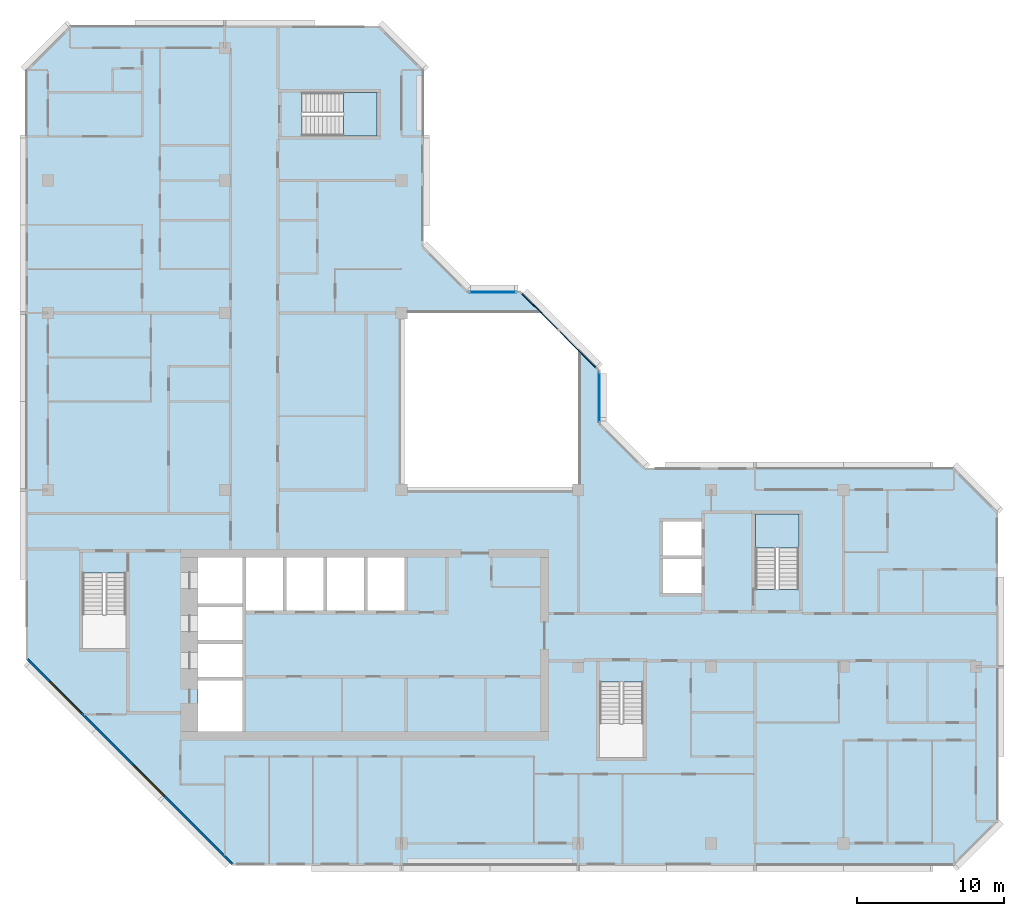
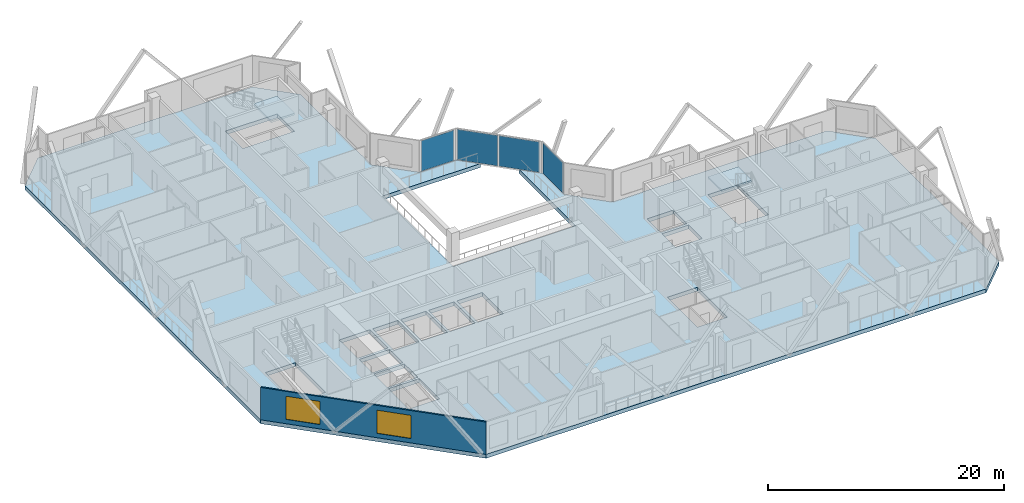
# One storey, part 3 of 13: 4 plates, 3 slabs, 2 windows, 1 wall, 2 openings, 5 elements without a shape of their own.
"""IFC4 building model written with IfcOpenShell, lengths in metres."""

import ifcopenshell
import ifcopenshell.guid

model = None  # the IFC model being written
_history = None  # IfcOwnerHistory: only IFC2X3 demands one
_inside = {}  # id of a spatial element -> (the spatial element, [elements in it])
_under = {}  # id of a project, library or spatial element -> (it, [spatial elements below it])
_declared = {}  # id of a project -> (the project, [libraries it declares])
_typed = {}  # id of a type object -> (the type object, [elements of that type])
_made_of = {}  # id of a material, layer set ... -> (it, [elements and type objects made of it])


def new_model(schema):
    """Start an empty IFC model of exactly this schema.

    Asked for "IFC4X3", IfcOpenShell would pick the latest addendum, in which some entities
    have other attributes; the version numbers below select the first issue.
    IFC2X3 requires an IfcOwnerHistory on every rooted entity: one is made here for all.
    """
    global model, _history
    if schema == "IFC4X3":
        model = ifcopenshell.file(schema_version=(4, 3, 0, 0))
    else:
        model = ifcopenshell.file(schema=schema)
    _inside.clear()
    _under.clear()
    _declared.clear()
    _typed.clear()
    _made_of.clear()
    _history = None
    if model.schema == "IFC2X3":
        org = make("IfcOrganization", Name="unknown")
        user = make(
            "IfcPersonAndOrganization",
            ThePerson=make("IfcPerson", FamilyName="unknown"),
            TheOrganization=org,
        )
        app = make(
            "IfcApplication",
            ApplicationDeveloper=org,
            Version="unknown",
            ApplicationFullName="unknown",
            ApplicationIdentifier="unknown",
        )
        _history = make(
            "IfcOwnerHistory",
            OwningUser=user,
            OwningApplication=app,
            ChangeAction="ADDED",
            CreationDate=0,
        )
    return model


def make(cls, **values):
    """One entity of the class cls with the attributes given. An attribute that is None is left unset."""
    return model.create_entity(
        cls, **{name: value for name, value in values.items() if value is not None}
    )


def rooted(cls, **values):
    """An entity with a GlobalId (a new one), such as an element, a storey or a relation."""
    return make(cls, GlobalId=ifcopenshell.guid.new(), OwnerHistory=_history, **values)


def si_unit(unit_type, name, prefix=None):
    """IfcSIUnit, for example si_unit("LENGTHUNIT", "METRE", prefix="MILLI")."""
    return make("IfcSIUnit", UnitType=unit_type, Prefix=prefix, Name=name)


def assignment(units):
    """IfcUnitAssignment: the units of a project."""
    return None if units is None else make("IfcUnitAssignment", Units=units)


def point(xyz):
    """IfcCartesianPoint."""
    return None if xyz is None else make("IfcCartesianPoint", Coordinates=xyz)


def direction(xyz):
    """IfcDirection."""
    return None if xyz is None else make("IfcDirection", DirectionRatios=xyz)


def frame(location, z_axis=None, x_axis=None):
    """IfcAxis2Placement3D, a coordinate frame: its origin and axes. An axis left out is left unset."""
    return make(
        "IfcAxis2Placement3D",
        Location=point(location),
        Axis=direction(z_axis),
        RefDirection=direction(x_axis),
    )


def frame_2d(location, x_axis=None):
    """IfcAxis2Placement2D, a coordinate frame in the plane: its origin and x axis."""
    return make(
        "IfcAxis2Placement2D", Location=point(location), RefDirection=direction(x_axis)
    )


def origin():
    """The frame at (0, 0, 0) with its axes left unset."""
    return frame((0.0, 0.0, 0.0))


def origin_2d():
    """The frame at (0, 0) in the plane with its x axis left unset."""
    return frame_2d((0.0, 0.0))


def place(relative_to, where):
    """IfcLocalPlacement: puts the frame where relative to a parent placement (None: the world)."""
    return make(
        "IfcLocalPlacement", PlacementRelTo=relative_to, RelativePlacement=where
    )


def context(
    kind, dimensions, precision=None, world=None, true_north=None, identifier=None
):
    """IfcGeometricRepresentationContext, for example the 3D "Model" context."""
    return make(
        "IfcGeometricRepresentationContext",
        ContextIdentifier=identifier,
        ContextType=kind,
        CoordinateSpaceDimension=dimensions,
        Precision=precision,
        WorldCoordinateSystem=world,
        TrueNorth=true_north,
    )


def subcontext(parent, identifier, kind, view, scale=None):
    """IfcGeometricRepresentationSubContext, for example "Body" below "Model"."""
    return make(
        "IfcGeometricRepresentationSubContext",
        ContextIdentifier=identifier,
        ContextType=kind,
        ParentContext=parent,
        TargetScale=scale,
        TargetView=view,
    )


def project(units=None, contexts=None):
    """IfcProject with its units and contexts."""
    return rooted(
        "IfcProject",
        Name="project",
        RepresentationContexts=contexts,
        UnitsInContext=assignment(units),
    )


def spatial(cls, under=None, at=None, **own):
    """A site, building, storey or space (cls), placed at a placement, below another one or the project."""
    s = rooted(cls, ObjectPlacement=at, **own)
    if under is not None:
        _under.setdefault(under.id(), (under, []))[1].append(s)
    return s


def polyline(points):
    """IfcPolyline through the points."""
    return make("IfcPolyline", Points=[point(p) for p in points])


def profile(cls, at=None, kind="AREA", **sizes):
    """A parametric profile (cls). Its sizes go by their IFC names, for example OverallWidth=200.0."""
    return make(cls, ProfileType=kind, Position=at, **sizes)


def rectangle(**sizes):
    """IfcRectangleProfileDef."""
    return profile("IfcRectangleProfileDef", **sizes)


def outline(outer, holes=None, kind="AREA"):
    """IfcArbitraryClosedProfileDef: a profile drawn as a closed curve; with holes, ...WithVoids."""
    if holes is None:
        return make("IfcArbitraryClosedProfileDef", ProfileType=kind, OuterCurve=outer)
    return make(
        "IfcArbitraryProfileDefWithVoids",
        ProfileType=kind,
        OuterCurve=outer,
        InnerCurves=holes,
    )


def extrude(swept, where, along, depth):
    """IfcExtrudedAreaSolid: the profile swept, set in the frame where, extruded along a direction by depth."""
    return make(
        "IfcExtrudedAreaSolid",
        SweptArea=swept,
        Position=where,
        ExtrudedDirection=direction(along),
        Depth=depth,
    )


def shape(context_of_items, identifier, shape_type, items):
    """IfcShapeRepresentation: the items that make up one representation, for example the "Body"."""
    return make(
        "IfcShapeRepresentation",
        ContextOfItems=context_of_items,
        RepresentationIdentifier=identifier,
        RepresentationType=shape_type,
        Items=items,
    )


def material(Name=None, Category=None):
    """IfcMaterial."""
    return make("IfcMaterial", Name=Name, Category=Category)


def layer(
    of_material, thickness, ventilated=None, Name=None, Category=None, Priority=None
):
    """IfcMaterialLayer: one layer of a wall or slab, of a material (None: an air gap)."""
    return make(
        "IfcMaterialLayer",
        Material=of_material,
        LayerThickness=thickness,
        IsVentilated=ventilated,
        Name=Name,
        Category=Category,
        Priority=Priority,
    )


def layer_set(layers, Name=None):
    """IfcMaterialLayerSet."""
    return make("IfcMaterialLayerSet", MaterialLayers=layers, LayerSetName=Name)


def made_of(thing, what):
    """Note that an element or type object is made of a material, layer set ...; save() writes the relation."""
    if what is not None:
        _made_of.setdefault(what.id(), (what, []))[1].append(thing)
    return thing


def type_object(cls, material=None, **own):
    """A type object (cls), such as IfcWallType, which elements share."""
    return made_of(rooted(cls, **own), material)


def element(
    cls,
    number,
    at=None,
    inside=None,
    cuts=None,
    type_object=None,
    material=None,
    context=None,
    identifier="Body",
    shape_type=None,
    held_by="IfcProductDefinitionShape",
    body=None,
    shapes=None,
    **own,
):
    """One element of the class cls, such as IfcWall. Its Tag is "e" and its number.

    at: its placement. inside: the storey or other place that contains it. cuts: it is an
    opening in that element (IfcRelVoidsElement). A single representation is given by context,
    identifier, shape_type and body (its items); several are given by shapes. held_by: the class
    of the entity that holds the representations. save() writes the other relations.
    """
    e = rooted(cls, Tag="e%d" % number, ObjectPlacement=at, **own)
    if body is not None:
        shapes = [shape(context, identifier, shape_type, body)]
    if shapes is not None:
        e.Representation = make(held_by, Representations=shapes)
    if inside is not None:
        _inside.setdefault(inside.id(), (inside, []))[1].append(e)
    if cuts is not None:
        rooted(
            "IfcRelVoidsElement", RelatingBuildingElement=cuts, RelatedOpeningElement=e
        )
    if type_object is not None:
        _typed.setdefault(type_object.id(), (type_object, []))[1].append(e)
    return made_of(e, material)


def fill(opening, filler):
    """IfcRelFillsElement: the door or window that sits in an opening."""
    return rooted(
        "IfcRelFillsElement",
        RelatingOpeningElement=opening,
        RelatedBuildingElement=filler,
    )


def aggregate(whole, parts):
    """IfcRelAggregates: a whole, such as a stair, and the parts it consists of."""
    return rooted("IfcRelAggregates", RelatingObject=whole, RelatedObjects=parts)


def save(model, path):
    """Write the relations noted so far, then the file.

    IfcRelAggregates (storeys below a building ...), IfcRelContainedInSpatialStructure (elements
    in a storey), IfcRelDefinesByType, IfcRelAssociatesMaterial and IfcRelDeclares: one each for
    every whole, place, type object, material and project.
    """
    for whole, parts in _under.values():
        aggregate(whole, parts)
    for where, things in _inside.values():
        rooted(
            "IfcRelContainedInSpatialStructure",
            RelatedElements=things,
            RelatingStructure=where,
        )
    for kind, things in _typed.values():
        rooted("IfcRelDefinesByType", RelatedObjects=things, RelatingType=kind)
    for what, things in _made_of.values():
        rooted("IfcRelAssociatesMaterial", RelatedObjects=things, RelatingMaterial=what)
    for by, libraries in _declared.values():
        rooted("IfcRelDeclares", RelatingContext=by, RelatedDefinitions=libraries)
    model.write(path)


model = new_model("IFC4")

# Units and contexts
model_context = context("Model", 3, precision=1e-05, world=origin(), true_north=direction((0.0, 1.0)))
body_context = subcontext(model_context, "Body", "Model", "MODEL_VIEW")
ifc_project = project(units=[si_unit("LENGTHUNIT", "METRE"), si_unit("AREAUNIT", "SQUARE_METRE"), si_unit("VOLUMEUNIT", "CUBIC_METRE"), si_unit("PLANEANGLEUNIT", "RADIAN"), si_unit("MASSUNIT", "GRAM", prefix="KILO")], contexts=[model_context])

# Site, building, storey
site_placement = place(None, origin())
site = spatial("IfcSite", under=ifc_project, at=site_placement, CompositionType="ELEMENT")
building_placement = place(site_placement, origin())
building = spatial("IfcBuilding", under=site, at=building_placement, Name="Chenar Terraces", CompositionType="ELEMENT")
storey_placement = place(building_placement, frame((0.0, 0.0, 273.39990234375)))
storey = spatial("IfcBuildingStorey", under=building, at=storey_placement, Name="L63", CompositionType="ELEMENT", Elevation=273.39990234375)

# Curtain wall, plate
ifc_material_1 = material(Name="Aluminium framed glazing", Category="aluminium")
ifc_layer_1 = layer(ifc_material_1, 0.14990234375)
ifc_layer_set_1 = layer_set([ifc_layer_1], Name="Aluminium framed glazing")
curtain_wall_type = type_object("IfcCurtainWallType", Name="Atrium upper-zone curtain wall", PredefinedType="NOTDEFINED", material=ifc_layer_set_1)
placement_1 = place(storey_placement, origin())
curtain_wall_1 = element("IfcCurtainWall", 1, at=placement_1, inside=storey, type_object=curtain_wall_type, Name="Atrium upper-zone curtain wall", PredefinedType="NOTDEFINED")
ifc_material_2 = material(Name="Low emissivity laminated glass, solar control coating", Category="glass")
ifc_layer_2 = layer(ifc_material_2, 0.050048828125)
ifc_layer_set_2 = layer_set([ifc_layer_2], Name="Low emissivity laminated glass, solar control coating")
plate_type = type_object("IfcPlateType", Name="Atrium upper-zone glazing panel 50", PredefinedType="CURTAIN_PANEL", material=ifc_layer_set_2)
plate_1_placement = place(storey_placement, frame((37.425048828125, 30.300048828125, 0.10009765625), z_axis=(0.0, 0.0, 1.0), x_axis=(0.0, 1.0, 0.0)))
plate_1 = element("IfcPlate", 2, at=plate_1_placement, type_object=plate_type, Name="CW8-1 panel 1.1", PredefinedType="CURTAIN_PANEL", context=body_context, shape_type="SweptSolid", body=[
    extrude(rectangle(XDim=3.39990234375, YDim=0.050048828125, at=origin_2d()), origin(), (0.0, 0.0, 1.0), 3.14990234375),
])
aggregate(curtain_wall_1, [plate_1])

# Curtain wall, plates
curtain_wall_2 = element("IfcCurtainWall", 3, at=placement_1, inside=storey, type_object=curtain_wall_type, Name="Atrium upper-zone curtain wall", PredefinedType="NOTDEFINED")
plate_2_placement = place(storey_placement, frame((35.97314453125, 33.520751953125, 0.10009765625), z_axis=(0.0, 0.0, 1.0), x_axis=(-0.707106781187, 0.707106781187, 0.0)))
plate_2 = element("IfcPlate", 4, at=plate_2_placement, type_object=plate_type, Name="CW8-2 panel 1.1", PredefinedType="CURTAIN_PANEL", context=body_context, shape_type="SweptSolid", body=[
    extrude(rectangle(XDim=3.568359375, YDim=0.050048828125, at=origin_2d()), origin(), (0.0, 0.0, 1.0), 3.14990234375),
])
plate_3_placement = place(storey_placement, frame((33.379150390625, 36.11474609375, 0.10009765625), z_axis=(0.0, 0.0, 1.0), x_axis=(-0.707106781187, 0.707106781187, 0.0)))
plate_3 = element("IfcPlate", 5, at=plate_3_placement, type_object=plate_type, Name="CW8-2 panel 2.1", PredefinedType="CURTAIN_PANEL", context=body_context, shape_type="SweptSolid", body=[
    extrude(rectangle(XDim=3.568359375, YDim=0.050048828125, at=origin_2d()), origin(), (0.0, 0.0, 1.0), 3.14990234375),
])
aggregate(curtain_wall_2, [plate_2, plate_3])

# Curtain wall, plate
curtain_wall_3 = element("IfcCurtainWall", 6, at=placement_1, inside=storey, type_object=curtain_wall_type, Name="Atrium upper-zone curtain wall", PredefinedType="NOTDEFINED")
plate_4_placement = place(storey_placement, frame((30.199951171875, 37.425048828125, 0.10009765625), z_axis=(0.0, 0.0, 1.0), x_axis=(-1.0, 0.0, 0.0)))
plate_4 = element("IfcPlate", 7, at=plate_4_placement, type_object=plate_type, Name="CW8-3 panel 1.1", PredefinedType="CURTAIN_PANEL", context=body_context, shape_type="SweptSolid", body=[
    extrude(rectangle(XDim=3.199951171875, YDim=0.050048828125, at=origin_2d()), origin(), (0.0, 0.0, 1.0), 3.14990234375),
])
aggregate(curtain_wall_3, [plate_4])

# Stair, slab
ifc_material_3 = material(Name="Reinforced concrete C40/50", Category="concrete")
stair_type = type_object("IfcStairType", Name="Core stair 1400 half-turn", PredefinedType="HALF_TURN_STAIR", material=ifc_material_3)
stair_1 = element("IfcStair", 8, at=placement_1, inside=storey, type_object=stair_type, Name="L63 Stair 3", PredefinedType="HALF_TURN_STAIR")
ifc_material_4 = material(Name="Reinforced concrete C40/50", Category="concrete")
ifc_layer_3 = layer(ifc_material_4, 0.199951171875)
ifc_layer_set_3 = layer_set([ifc_layer_3], Name="Reinforced concrete C40/50")
slab_type_1 = type_object("IfcSlabType", Name="Core stair landing 200", PredefinedType="LANDING", material=ifc_layer_set_3)
placement_2 = place(storey_placement, frame((0.0, 0.0, 1.675048828125)))
slab_1 = element("IfcSlab", 9, at=placement_2, type_object=slab_type_1, Name="ST3 landing 1", PredefinedType="LANDING", context=body_context, shape_type="SweptSolid", body=[
    extrude(outline(polyline([(50.97509765625, 20.050048828125), (50.97509765625, 22.35009765625), (48.02490234375, 22.35009765625), (48.02490234375, 20.050048828125), (50.97509765625, 20.050048828125)])), origin(), (0.0, 0.0, 1.0), 0.199951171875),
])
aggregate(stair_1, [slab_1])

stair_2 = element("IfcStair", 10, at=placement_1, inside=storey, type_object=stair_type, Name="L63 Stair 4", PredefinedType="HALF_TURN_STAIR")
slab_2 = element("IfcSlab", 11, at=placement_2, type_object=slab_type_1, Name="ST4 landing 1", PredefinedType="LANDING", context=body_context, shape_type="SweptSolid", body=[
    extrude(outline(polyline([(20.050048828125, 48.02490234375), (22.35009765625, 48.02490234375), (22.35009765625, 50.97509765625), (20.050048828125, 50.97509765625), (20.050048828125, 48.02490234375)])), origin(), (0.0, 0.0, 1.0), 0.199951171875),
])
aggregate(stair_2, [slab_2])

# Slab
ifc_material_5 = material(Name="Concrete C40/50", Category="concrete")
ifc_layer_4 = layer(ifc_material_5, 0.39990234375)
ifc_layer_set_4 = layer_set([ifc_layer_4], Name="Concrete C40/50")
slab_type_2 = type_object("IfcSlabType", Name="Floor slab 400 Concrete C40/50", PredefinedType="FLOOR", material=ifc_layer_set_4)
slab_3_placement = place(storey_placement, frame((0.0, 0.0, -0.39990234375)))
element("IfcSlab", 12, at=slab_3_placement, inside=storey, type_object=slab_type_2, Name="Floor slab L63", PredefinedType="FLOOR", context=body_context, shape_type="SweptSolid", body=[
    extrude(outline(polyline([(64.5, 22.5), (64.5, 1.5), (61.5, -1.5), (12.5, -1.5), (-1.5, 12.5), (-1.5, 52.5), (1.5, 55.5), (22.5, 55.5), (25.5, 52.5), (25.5, 40.5), (28.5, 37.5), (32.10009765625, 37.5), (33.60009765625, 36.0), (24.0, 36.0), (24.0, 24.0), (36.0, 24.0), (36.0, 33.60009765625), (37.5, 32.10009765625), (37.5, 28.5), (40.5, 25.5), (61.5, 25.5), (64.5, 22.5)]), holes=[polyline([(10.199951171875, 11.050048828125), (10.199951171875, 7.60009765625), (13.199951171875, 7.60009765625), (13.199951171875, 11.050048828125), (10.199951171875, 11.050048828125)]), polyline([(13.199951171875, 13.550048828125), (10.199951171875, 13.550048828125), (10.199951171875, 11.300048828125), (13.199951171875, 11.300048828125), (13.199951171875, 13.550048828125)]), polyline([(13.199951171875, 16.050048828125), (10.199951171875, 16.050048828125), (10.199951171875, 13.800048828125), (13.199951171875, 13.800048828125), (13.199951171875, 16.050048828125)]), polyline([(2.35009765625, 13.25), (5.300048828125, 13.25), (5.300048828125, 18.35009765625), (2.35009765625, 18.35009765625), (2.35009765625, 13.25)]), polyline([(15.949951171875, 19.39990234375), (13.449951171875, 19.39990234375), (13.449951171875, 15.800048828125), (15.949951171875, 15.800048828125), (15.949951171875, 19.39990234375)]), polyline([(18.699951171875, 19.39990234375), (16.199951171875, 19.39990234375), (16.199951171875, 15.800048828125), (18.699951171875, 15.800048828125), (18.699951171875, 19.39990234375)]), polyline([(13.199951171875, 19.39990234375), (10.199951171875, 19.39990234375), (10.199951171875, 16.300048828125), (13.199951171875, 16.300048828125), (13.199951171875, 19.39990234375)]), polyline([(22.35009765625, 48.02490234375), (22.35009765625, 50.97509765625), (17.25, 50.97509765625), (17.25, 48.02490234375), (22.35009765625, 48.02490234375)]), polyline([(37.449951171875, 5.85009765625), (40.39990234375, 5.85009765625), (40.39990234375, 10.949951171875), (37.449951171875, 10.949951171875), (37.449951171875, 5.85009765625)]), polyline([(21.449951171875, 19.39990234375), (18.949951171875, 19.39990234375), (18.949951171875, 15.800048828125), (21.449951171875, 15.800048828125), (21.449951171875, 19.39990234375)]), polyline([(24.199951171875, 19.39990234375), (21.699951171875, 19.39990234375), (21.699951171875, 15.800048828125), (24.199951171875, 15.800048828125), (24.199951171875, 19.39990234375)]), polyline([(44.35009765625, 19.300048828125), (41.75, 19.300048828125), (41.75, 17.0), (44.35009765625, 17.0), (44.35009765625, 19.300048828125)]), polyline([(50.97509765625, 22.35009765625), (48.02490234375, 22.35009765625), (48.02490234375, 17.25), (50.97509765625, 17.25), (50.97509765625, 22.35009765625)]), polyline([(44.35009765625, 21.85009765625), (41.75, 21.85009765625), (41.75, 19.550048828125), (44.35009765625, 19.550048828125), (44.35009765625, 21.85009765625)])]), origin(), (0.0, 0.0, 1.0), 0.39990234375),
])

# Wall, openings, windows
ifc_material_6 = material(Name="Terracotta cladding on insulated backing", Category="masonry")
ifc_layer_5 = layer(ifc_material_6, 0.14990234375)
ifc_layer_set_5 = layer_set([ifc_layer_5], Name="Terracotta cladding on insulated backing")
wall_type = type_object("IfcWallType", Name="Terracotta rainscreen wall 150", PredefinedType="SOLIDWALL", material=ifc_layer_set_5)
wall_placement = place(storey_placement, frame((-1.447021484375, 12.552978515625, 0.0), z_axis=(0.0, 0.0, 1.0), x_axis=(0.707106781187, -0.707106781187, 0.0)))
wall = element("IfcWall", 13, at=wall_placement, inside=storey, type_object=wall_type, Name="Terracotta rainscreen wall", PredefinedType="SOLIDWALL", context=body_context, shape_type="SweptSolid", body=[
    extrude(rectangle(XDim=19.799072265625, YDim=0.14990234375, at=frame_2d((9.8994140625, 0.0))), origin(), (0.0, 0.0, 1.0), 3.35009765625),
])
opening_1_placement = place(wall_placement, frame((2.21240234375, 0.0, 0.449951171875)))
opening_1 = element("IfcOpeningElement", 14, at=opening_1_placement, cuts=wall, Name="Opening W300x240", PredefinedType="OPENING", context=body_context, shape_type="SweptSolid", body=[
    extrude(rectangle(XDim=3.0, YDim=2.39990234375, at=frame_2d((1.5, 1.199951171875))), frame((0.0, 0.0849609375, 0.0), z_axis=(0.0, -1.0, 0.0), x_axis=(1.0, 0.0, 0.0)), (0.0, 0.0, 1.0), 0.169921875),
])
opening_2_placement = place(wall_placement, frame((10.215576171875, 0.0, 0.449951171875)))
opening_2 = element("IfcOpeningElement", 15, at=opening_2_placement, cuts=wall, Name="Opening W300x240", PredefinedType="OPENING", context=body_context, shape_type="SweptSolid", body=[
    extrude(rectangle(XDim=3.0, YDim=2.39990234375, at=frame_2d((1.5, 1.199951171875))), frame((0.0, 0.0849609375, 0.0), z_axis=(0.0, -1.0, 0.0), x_axis=(1.0, 0.0, 0.0)), (0.0, 0.0, 1.0), 0.169921875),
])
ifc_material_7 = material(Name="Low emissivity double glazing, aluminium frame", Category="aluminium")
window_type = type_object("IfcWindowType", Name="Fixed light 3000 x 2400", PartitioningType="SINGLE_PANEL", PredefinedType="WINDOW", material=ifc_material_7)
window_1_placement = place(opening_1_placement, origin())
window_1 = element("IfcWindow", 16, at=window_1_placement, inside=storey, type_object=window_type, Name="Window", OverallHeight=2.39990234375, OverallWidth=3.0, PartitioningType="SINGLE_PANEL", PredefinedType="WINDOW", context=body_context, shape_type="SweptSolid", body=[
    extrude(rectangle(XDim=3.0, YDim=2.39990234375, at=frame_2d((1.5, 1.199951171875))), frame((0.0, 0.030029296875, 0.0), z_axis=(0.0, -1.0, 0.0), x_axis=(1.0, 0.0, 0.0)), (0.0, 0.0, 1.0), 0.06005859375),
])
fill(opening_1, window_1)
window_2_placement = place(opening_2_placement, origin())
window_2 = element("IfcWindow", 17, at=window_2_placement, inside=storey, type_object=window_type, Name="Window", OverallHeight=2.39990234375, OverallWidth=3.0, PartitioningType="SINGLE_PANEL", PredefinedType="WINDOW", context=body_context, shape_type="SweptSolid", body=[
    extrude(rectangle(XDim=3.0, YDim=2.39990234375, at=frame_2d((1.5, 1.199951171875))), frame((0.0, 0.030029296875, 0.0), z_axis=(0.0, -1.0, 0.0), x_axis=(1.0, 0.0, 0.0)), (0.0, 0.0, 1.0), 0.06005859375),
])
fill(opening_2, window_2)

save(model, "model.ifc")
